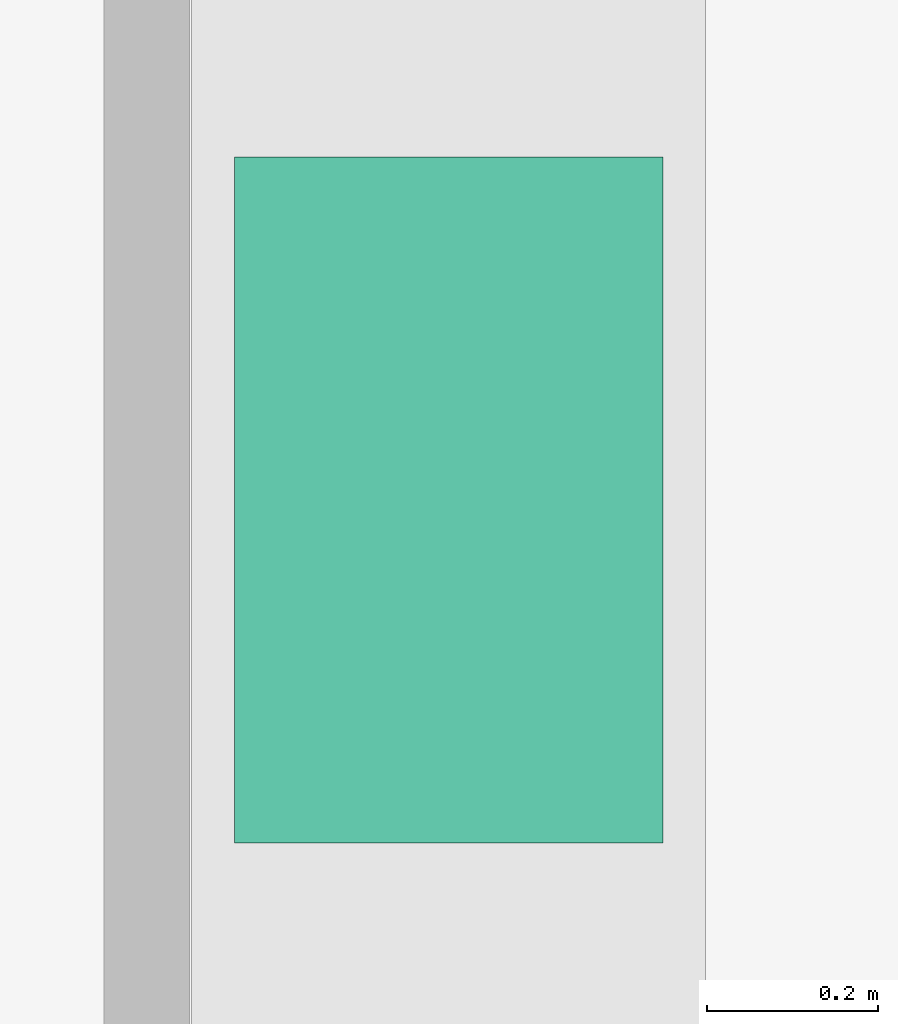
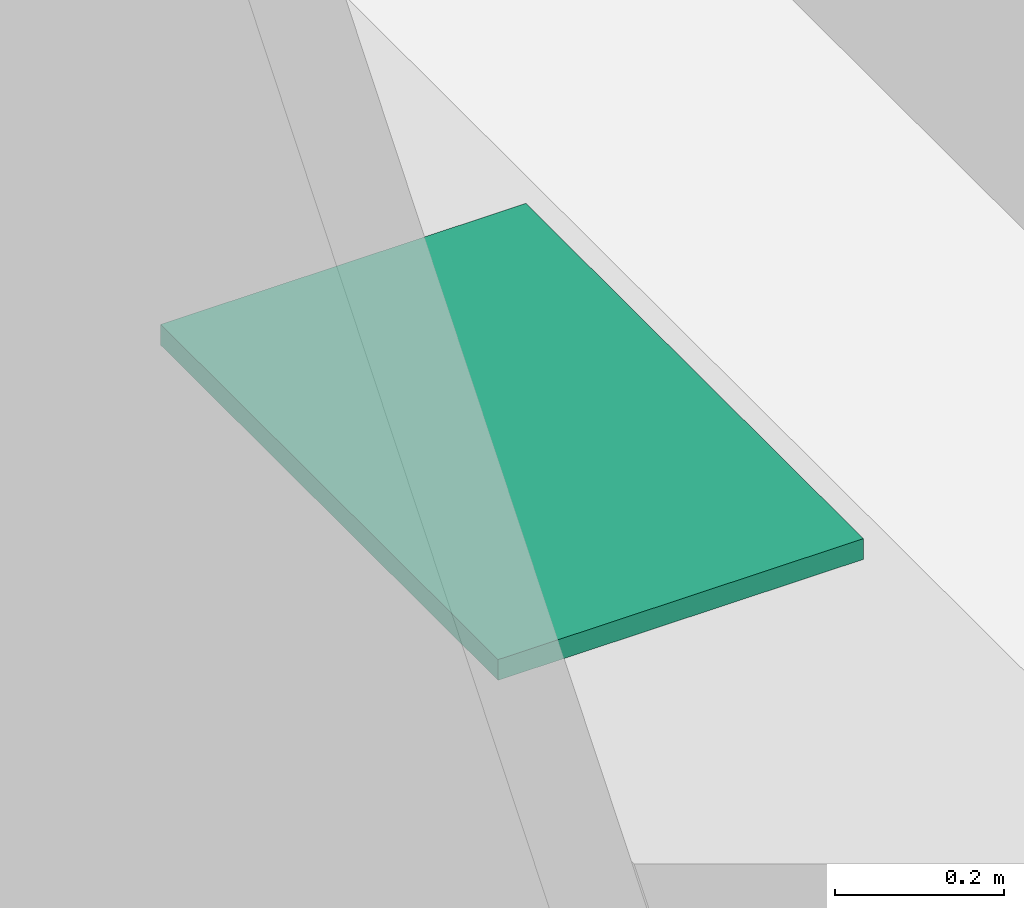
# One storey, part 16 of 17: 1 sanitary terminal.
"""IFC4 building model written with IfcOpenShell, lengths in metres."""

from ifc_helpers import new_model, si_unit, direction, frame, origin, origin_2d, place, context, subcontext, project, spatial, rectangle, extrude, material, type_object, element, save


model = new_model("IFC4")

# Units and contexts
model_context = context("Model", 3, precision=1e-05, world=origin(), true_north=direction((0.0, 1.0)))
body_context = subcontext(model_context, "Body", "Model", "MODEL_VIEW")
ifc_project = project(units=[si_unit("LENGTHUNIT", "METRE"), si_unit("AREAUNIT", "SQUARE_METRE"), si_unit("VOLUMEUNIT", "CUBIC_METRE"), si_unit("PLANEANGLEUNIT", "RADIAN"), si_unit("MASSUNIT", "GRAM", prefix="KILO")], contexts=[model_context])

# Site, building, storey
site_placement = place(None, origin())
site = spatial("IfcSite", under=ifc_project, at=site_placement, CompositionType="ELEMENT")
building_placement = place(site_placement, origin())
building = spatial("IfcBuilding", under=site, at=building_placement, Name="Kvirike Care Tower", CompositionType="ELEMENT")
storey_placement = place(building_placement, frame((0.0, 0.0, 136.5)))
storey = spatial("IfcBuildingStorey", under=building, at=storey_placement, Name="L37", CompositionType="ELEMENT", Elevation=136.5)

# Sanitary terminal
ifc_material = material(Name="Stainless steel", Category="steel")
sanitary_terminal_type = type_object("IfcSanitaryTerminalType", Name="KITCHEN SINK 800 x 500", PredefinedType="SINK", material=ifc_material)
sanitary_terminal_placement = place(storey_placement, frame((16.052001953125, 39.60009765625, 0.89990234375), z_axis=(0.0, 0.0, 1.0), x_axis=(0.0, 1.0, 0.0)))
element("IfcSanitaryTerminal", 1, at=sanitary_terminal_placement, inside=storey, type_object=sanitary_terminal_type, Name="Kitchen sink L37-019", PredefinedType="SINK", context=body_context, shape_type="SweptSolid", body=[
    extrude(rectangle(XDim=0.800048828125, YDim=0.5, at=origin_2d()), origin(), (0.0, 0.0, 1.0), 0.030029296875),
])

save(model, "model.ifc")
